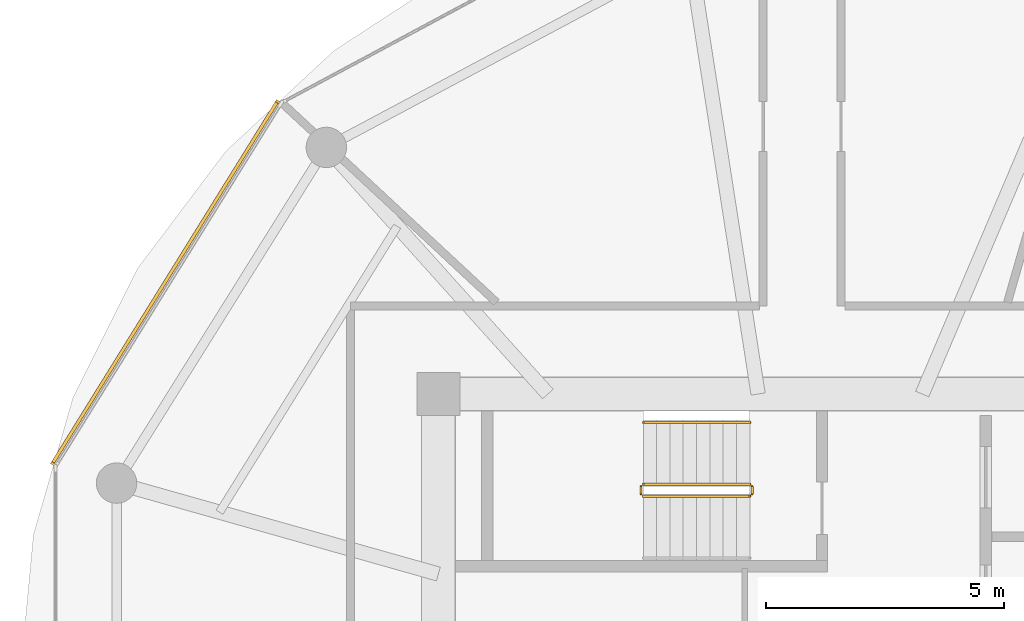
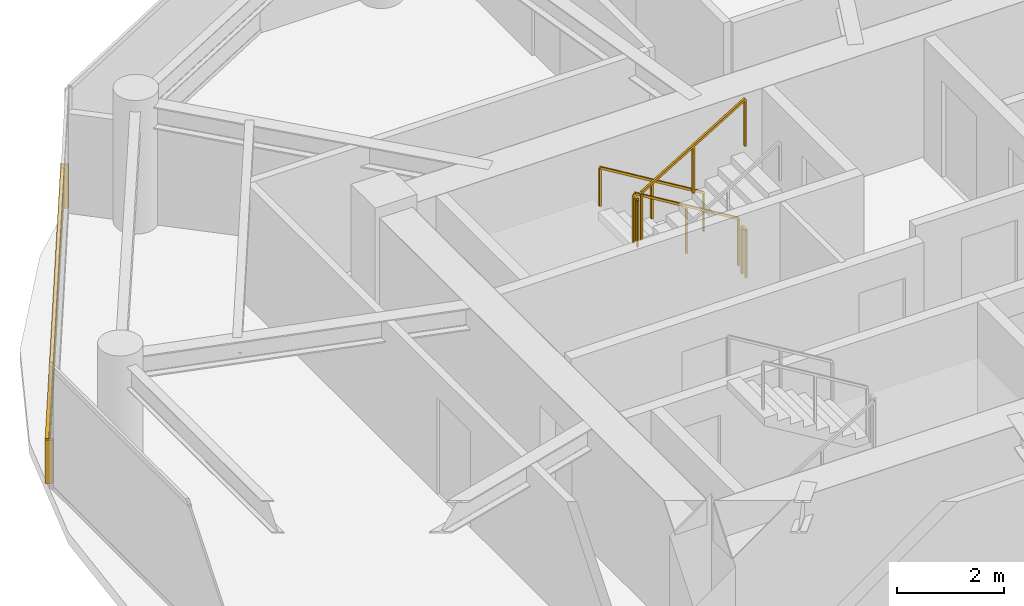
# One storey, part 21 of 24: 5 railings, 1 shading device.
"""IFC4 building model written with IfcOpenShell, lengths in metres."""

from ifc_helpers import new_model, si_unit, direction, frame, origin, origin_2d, place, context, subcontext, project, spatial, rectangle, extrude, source, transform, mapped, material, type_object, type_shapes, element, save


model = new_model("IFC4")

# Units and contexts
model_context = context("Model", 3, precision=1e-05, world=origin(), true_north=direction((0.0, 1.0)))
body_context = subcontext(model_context, "Body", "Model", "MODEL_VIEW")
ifc_project = project(units=[si_unit("LENGTHUNIT", "METRE"), si_unit("AREAUNIT", "SQUARE_METRE"), si_unit("VOLUMEUNIT", "CUBIC_METRE"), si_unit("PLANEANGLEUNIT", "RADIAN"), si_unit("MASSUNIT", "GRAM", prefix="KILO")], contexts=[model_context])

# Site, building, storey
site_placement = place(None, origin())
site = spatial("IfcSite", under=ifc_project, at=site_placement, CompositionType="ELEMENT")
building_placement = place(site_placement, origin())
building = spatial("IfcBuilding", under=site, at=building_placement, Name="Norrkilde Senior Care Towers", CompositionType="ELEMENT")
storey_placement = place(building_placement, frame((0.0, 0.0, 117.60009765625)))
storey = spatial("IfcBuildingStorey", under=building, at=storey_placement, Name="L36", CompositionType="ELEMENT", Elevation=117.60009765625)

# Railings
ifc_material_1 = material(Name="Stainless Steel", Category="steel")
railing_type_1 = type_object("IfcRailingType", Name="Stair and Terrace Guardrail 1100", PredefinedType="GUARDRAIL", material=ifc_material_1)
railing_1_placement = place(storey_placement, frame((-29.10009765625, 4.050048828125, 0.16943359375)))
element("IfcRailing", 1, at=railing_1_placement, inside=storey, type_object=railing_type_1, Name="L36 ST-W1 stair guard 1", PredefinedType="GUARDRAIL", context=body_context, shape_type="SweptSolid", body=[
    extrude(rectangle(XDim=0.048095703125, YDim=0.048095703125, at=origin_2d()), frame((0.0, 0.0, 1.076171875), z_axis=(-0.855553338991, 0.0, 0.51771467445), x_axis=(0.0, -1.0, 0.0)), (0.0, 0.0, 1.0), 2.6181640625),
    extrude(rectangle(XDim=0.0419921875, YDim=0.0419921875, at=origin_2d()), origin(), (0.0, 0.0, 1.0), 1.050048828125),
    extrude(rectangle(XDim=0.0419921875, YDim=0.0419921875, at=origin_2d()), frame((-1.1201171875, 0.0, 0.677734375)), (0.0, 0.0, 1.0), 1.050048828125),
    extrude(rectangle(XDim=0.0419921875, YDim=0.0419921875, at=origin_2d()), frame((-2.239990234375, 0.0, 1.35546875)), (0.0, 0.0, 1.0), 1.050048828125),
])
railing_2_placement = place(storey_placement, frame((-31.389892578125, 4.0, 1.52490234375)))
element("IfcRailing", 2, at=railing_2_placement, inside=storey, type_object=railing_type_1, Name="L36 ST-W1 stair guard 2", PredefinedType="GUARDRAIL", context=body_context, shape_type="SweptSolid", body=[
    extrude(rectangle(XDim=0.048095703125, YDim=0.048095703125, at=origin_2d()), frame((0.0, 0.0, 1.076171875), z_axis=(0.0, -1.0, 0.0), x_axis=(1.0, 0.0, 0.0)), (0.0, 0.0, 1.0), 0.14990234375),
    extrude(rectangle(XDim=0.0419921875, YDim=0.0419921875, at=origin_2d()), origin(), (0.0, 0.0, 1.0), 1.050048828125),
    extrude(rectangle(XDim=0.0419921875, YDim=0.0419921875, at=origin_2d()), frame((0.0, -0.14990234375, 0.0)), (0.0, 0.0, 1.0), 1.050048828125),
])
railing_3_placement = place(storey_placement, frame((-31.340087890625, 3.800048828125, 1.6943359375)))
element("IfcRailing", 3, at=railing_3_placement, inside=storey, type_object=railing_type_1, Name="L36 ST-W1 stair guard 3", PredefinedType="GUARDRAIL", context=body_context, shape_type="SweptSolid", body=[
    extrude(rectangle(XDim=0.048095703125, YDim=0.048095703125, at=origin_2d()), frame((0.0, 0.0, 1.076171875), z_axis=(0.855553338991, 0.0, 0.51771467445), x_axis=(0.0, 1.0, 0.0)), (0.0, 0.0, 1.0), 2.6181640625),
    extrude(rectangle(XDim=0.0419921875, YDim=0.0419921875, at=origin_2d()), origin(), (0.0, 0.0, 1.0), 1.050048828125),
    extrude(rectangle(XDim=0.0419921875, YDim=0.0419921875, at=origin_2d()), frame((1.1201171875, 0.0, 0.677734375)), (0.0, 0.0, 1.0), 1.050048828125),
    extrude(rectangle(XDim=0.0419921875, YDim=0.0419921875, at=origin_2d()), frame((2.239990234375, 0.0, 1.35546875)), (0.0, 0.0, 1.0), 1.050048828125),
])
railing_4_placement = place(storey_placement, frame((-29.050048828125, 4.0, 0.0)))
element("IfcRailing", 4, at=railing_4_placement, inside=storey, type_object=railing_type_1, Name="L36 ST-W1 stair guard 4", PredefinedType="GUARDRAIL", context=body_context, shape_type="SweptSolid", body=[
    extrude(rectangle(XDim=0.048095703125, YDim=0.048095703125, at=origin_2d()), frame((0.0, 0.0, 1.076171875), z_axis=(0.0, -1.0, 0.0), x_axis=(1.0, 0.0, 0.0)), (0.0, 0.0, 1.0), 0.14990234375),
    extrude(rectangle(XDim=0.0419921875, YDim=0.0419921875, at=origin_2d()), origin(), (0.0, 0.0, 1.0), 1.050048828125),
    extrude(rectangle(XDim=0.0419921875, YDim=0.0419921875, at=origin_2d()), frame((0.0, -0.14990234375, 0.0)), (0.0, 0.0, 1.0), 1.050048828125),
])
ifc_material_2 = material(Name="Nordic Ash Timber", Category="wood")
railing_type_2 = type_object("IfcRailingType", Name="Wall and Stair Handrail 900", PredefinedType="HANDRAIL", material=ifc_material_2)
railing_5_placement = place(storey_placement, frame((-29.10009765625, 5.35009765625, 0.16943359375)))
element("IfcRailing", 5, at=railing_5_placement, inside=storey, type_object=railing_type_2, Name="L36 ST-W1 stair handrail 1", PredefinedType="HANDRAIL", context=body_context, shape_type="SweptSolid", body=[
    extrude(rectangle(XDim=0.048095703125, YDim=0.048095703125, at=origin_2d()), frame((0.0, 0.0, 0.8759765625), z_axis=(-0.855553338991, 0.0, 0.51771467445), x_axis=(0.0, -1.0, 0.0)), (0.0, 0.0, 1.0), 2.6181640625),
    extrude(rectangle(XDim=0.0419921875, YDim=0.0419921875, at=origin_2d()), origin(), (0.0, 0.0, 1.0), 0.849853515625),
    extrude(rectangle(XDim=0.0419921875, YDim=0.0419921875, at=origin_2d()), frame((-1.1201171875, 0.0, 0.677734375)), (0.0, 0.0, 1.0), 0.849853515625),
    extrude(rectangle(XDim=0.0419921875, YDim=0.0419921875, at=origin_2d()), frame((-2.239990234375, 0.0, 1.35546875)), (0.0, 0.0, 1.0), 0.849853515625),
])

# Shading device
ifc_material_3 = material(Name="Architectural Terracotta", Category="masonry")
shading_device_type = type_object("IfcShadingDeviceType", Name="Horizontal Terracotta Baguette Rack", PredefinedType="USERDEFINED", material=ifc_material_3)
shared_shape = source(origin(), body_context, "Body", "SweptSolid", [
    extrude(rectangle(XDim=0.070068359375, YDim=0.110107421875, at=origin_2d()), frame((0.0, 0.090087890625, 0.125), z_axis=(1.0, 0.0, 0.0), x_axis=(0.0, 1.0, 0.0)), (0.0, 0.0, 1.0), 9.01416015625),
    extrude(rectangle(XDim=0.070068359375, YDim=0.110107421875, at=origin_2d()), frame((0.0, 0.090087890625, 0.375), z_axis=(1.0, 0.0, 0.0), x_axis=(0.0, 1.0, 0.0)), (0.0, 0.0, 1.0), 9.01416015625),
    extrude(rectangle(XDim=0.070068359375, YDim=0.110107421875, at=origin_2d()), frame((0.0, 0.090087890625, 0.625), z_axis=(1.0, 0.0, 0.0), x_axis=(0.0, 1.0, 0.0)), (0.0, 0.0, 1.0), 9.01416015625),
    extrude(rectangle(XDim=0.070068359375, YDim=0.110107421875, at=origin_2d()), frame((0.0, 0.090087890625, 0.875), z_axis=(1.0, 0.0, 0.0), x_axis=(0.0, 1.0, 0.0)), (0.0, 0.0, 1.0), 9.01416015625),
    extrude(rectangle(XDim=0.050048828125, YDim=0.1552734375, at=origin_2d()), frame((0.02490234375, 0.047607421875, 0.0)), (0.0, 0.0, 1.0), 1.0),
    extrude(rectangle(XDim=0.050048828125, YDim=0.1552734375, at=origin_2d()), frame((8.9892578125, 0.047607421875, 0.0)), (0.0, 0.0, 1.0), 1.0),
])
type_shapes(shading_device_type, [shared_shape])
shading_device_placement = place(storey_placement, frame((-43.70361328125, 4.420654296875, 0.079833984375), z_axis=(0.0, 0.0, 1.0), x_axis=(0.527734142246, 0.849412274525, 0.0)))
element("IfcShadingDevice", 6, at=shading_device_placement, inside=storey, type_object=shading_device_type, Name="L36 Drum W Terracotta Baguette Screen 04", ObjectType="BAGUETTE", PredefinedType="USERDEFINED", context=body_context, shape_type="MappedRepresentation", body=[
    mapped(shared_shape, transform((0.0, 0.0, 0.0), x_axis=(1.0, 0.0, 0.0), y_axis=(0.0, 1.0, 0.0), z_axis=(0.0, 0.0, 1.0), scale=1.0)),
])

save(model, "model.ifc")
